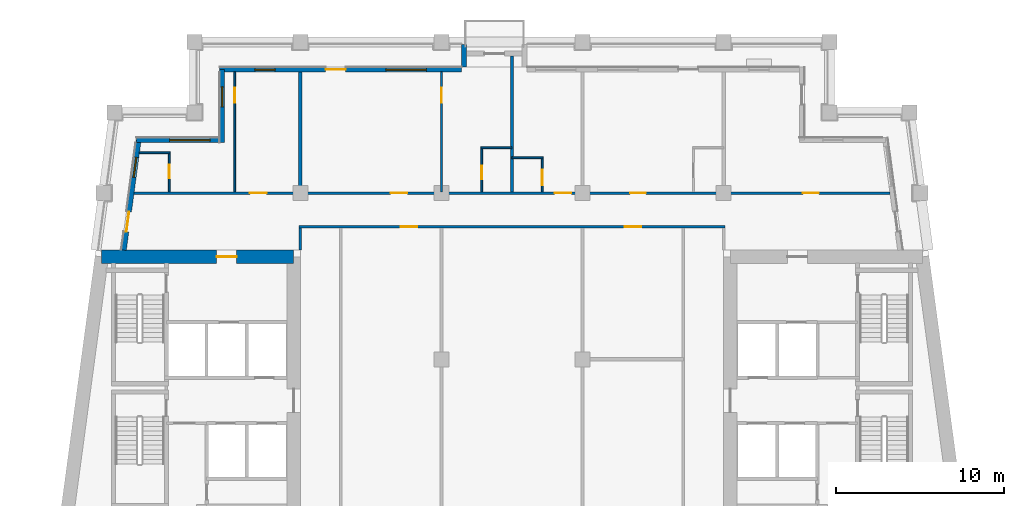
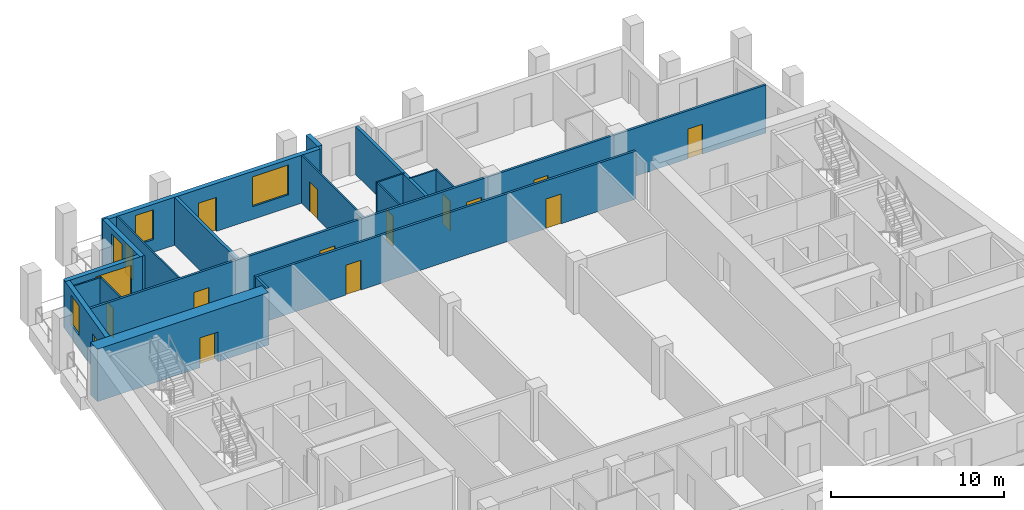
# One storey, part 6 of 12: 19 walls, 15 doors, 5 windows, 20 openings.
"""IFC4 building model written with IfcOpenShell, lengths in metres."""

from ifc_helpers import new_model, si_unit, direction, frame, frame_2d, origin, place, context, subcontext, project, spatial, rectangle, extrude, material, layer, layer_set, type_object, element, fill, save


model = new_model("IFC4")

# Units and contexts
model_context = context("Model", 3, precision=1e-05, world=origin(), true_north=direction((0.0, 1.0)))
body_context = subcontext(model_context, "Body", "Model", "MODEL_VIEW")
ifc_project = project(units=[si_unit("LENGTHUNIT", "METRE"), si_unit("AREAUNIT", "SQUARE_METRE"), si_unit("VOLUMEUNIT", "CUBIC_METRE"), si_unit("PLANEANGLEUNIT", "RADIAN"), si_unit("MASSUNIT", "GRAM", prefix="KILO")], contexts=[model_context])

# Site, building, storey
site_placement = place(None, origin())
site = spatial("IfcSite", under=ifc_project, at=site_placement, CompositionType="ELEMENT")
building_placement = place(site_placement, origin())
building = spatial("IfcBuilding", under=site, at=building_placement, Name="Candeia Pilgrim Tower and Theatre", CompositionType="ELEMENT")
storey_placement = place(building_placement, frame((0.0, 0.0, 224.39990234375)))
storey = spatial("IfcBuildingStorey", under=building, at=storey_placement, Name="L54", CompositionType="ELEMENT", Elevation=224.39990234375)

# Wall, opening, door
ifc_material_1 = material(Name="Concrete C50/60", Category="concrete")
ifc_layer_1 = layer(ifc_material_1, 0.800048828125)
ifc_layer_set_1 = layer_set([ifc_layer_1], Name="Core wall 800 C50/60")
wall_type_1 = type_object("IfcWallType", Name="Core wall 800 C50/60", PredefinedType="SHEAR", material=ifc_layer_set_1)
wall_1_placement = place(storey_placement, frame((88.98046875, 132.0, 0.0), z_axis=(0.0, 0.0, 1.0), x_axis=(1.0, 0.0, 0.0)))
wall_1 = element("IfcWall", 1, at=wall_1_placement, inside=storey, type_object=wall_type_1, Name="Core wall W1", PredefinedType="SHEAR", context=body_context, shape_type="SweptSolid", body=[
    extrude(rectangle(XDim=11.41943359375, YDim=0.800048828125, at=frame_2d((5.709716796875, 0.0))), origin(), (0.0, 0.0, 1.0), 3.7001953125),
])
opening_1_placement = place(wall_1_placement, frame((6.8330078125, 0.0, 0.0)))
opening_1 = element("IfcOpeningElement", 2, at=opening_1_placement, cuts=wall_1, Name="Opening L54-D055", PredefinedType="OPENING", context=body_context, shape_type="SweptSolid", body=[
    extrude(rectangle(XDim=1.199951171875, YDim=2.10009765625, at=frame_2d((0.60009765625, 1.050048828125))), frame((0.0, 0.41015625, 0.0), z_axis=(0.0, -1.0, 0.0), x_axis=(1.0, 0.0, 0.0)), (0.0, 0.0, 1.0), 0.820068359375),
])
ifc_material_2 = material(Name="Steel fire door set", Category="steel")
door_type_1 = type_object("IfcDoorType", Name="D-1200-FD60", OperationType="NOTDEFINED", PredefinedType="DOOR", material=ifc_material_2)
door_1_placement = place(opening_1_placement, origin())
door_1 = element("IfcDoor", 3, at=door_1_placement, inside=storey, type_object=door_type_1, Name="Door L54-D055", OperationType="SINGLE_SWING_LEFT", OverallHeight=2.10009765625, OverallWidth=1.199951171875, PredefinedType="DOOR", context=body_context, shape_type="SweptSolid", body=[
    extrude(rectangle(XDim=1.199951171875, YDim=2.10009765625, at=frame_2d((0.60009765625, 1.050048828125))), frame((0.0, 0.02490234375, 0.0), z_axis=(0.0, -1.0, 0.0), x_axis=(1.0, 0.0, 0.0)), (0.0, 0.0, 1.0), 0.050048828125),
])
fill(opening_1, door_1)

# Wall, openings, door, windows
ifc_material_3 = material(Name="Ceramic block masonry", Category="masonry")
ifc_layer_2 = layer(ifc_material_3, 0.300048828125)
ifc_layer_set_2 = layer_set([ifc_layer_2], Name="EW1 glazing-line wall 300")
wall_type_2 = type_object("IfcWallType", Name="EW1 glazing-line wall 300", PredefinedType="SOLIDWALL", material=ifc_layer_set_2)
wall_2_placement = place(storey_placement, frame((110.39990234375, 143.14990234375, 0.0), z_axis=(0.0, 0.0, 1.0), x_axis=(-1.0, 0.0, 0.0)))
wall_2 = element("IfcWall", 4, at=wall_2_placement, inside=storey, type_object=wall_type_2, Name="External wall L54-6.1", PredefinedType="SOLIDWALL", context=body_context, shape_type="SweptSolid", body=[
    extrude(rectangle(XDim=14.39990234375, YDim=0.300048828125, at=frame_2d((7.199951171875, 0.0))), origin(), (0.0, 0.0, 1.0), 3.380126953125),
])
opening_2_placement = place(wall_2_placement, frame((2.10009765625, 0.0, 0.89990234375)))
opening_2 = element("IfcOpeningElement", 5, at=opening_2_placement, cuts=wall_2, Name="Opening W-A", PredefinedType="OPENING", context=body_context, shape_type="SweptSolid", body=[
    extrude(rectangle(XDim=2.39990234375, YDim=2.10009765625, at=frame_2d((1.199951171875, 1.050048828125))), frame((0.0, 0.16015625, 0.0), z_axis=(0.0, -1.0, 0.0), x_axis=(1.0, 0.0, 0.0)), (0.0, 0.0, 1.0), 0.320068359375),
])
opening_3_placement = place(wall_2_placement, frame((6.89990234375, 0.0, 0.0)))
opening_3 = element("IfcOpeningElement", 6, at=opening_3_placement, cuts=wall_2, Name="Opening L54-ED520", PredefinedType="OPENING", context=body_context, shape_type="SweptSolid", body=[
    extrude(rectangle(XDim=1.199951171875, YDim=2.39990234375, at=frame_2d((0.60009765625, 1.199951171875))), frame((0.0, 0.16015625, 0.0), z_axis=(0.0, -1.0, 0.0), x_axis=(1.0, 0.0, 0.0)), (0.0, 0.0, 1.0), 0.320068359375),
])
opening_4_placement = place(wall_2_placement, frame((11.10009765625, 0.0, 0.89990234375)))
opening_4 = element("IfcOpeningElement", 7, at=opening_4_placement, cuts=wall_2, Name="Opening W-B", PredefinedType="OPENING", context=body_context, shape_type="SweptSolid", body=[
    extrude(rectangle(XDim=1.199951171875, YDim=2.10009765625, at=frame_2d((0.60009765625, 1.050048828125))), frame((0.0, 0.16015625, 0.0), z_axis=(0.0, -1.0, 0.0), x_axis=(1.0, 0.0, 0.0)), (0.0, 0.0, 1.0), 0.320068359375),
])
ifc_material_4 = material(Name="Aluminium framed glazed door", Category="aluminium")
door_type_2 = type_object("IfcDoorType", Name="Loggia door 1200x2400", OperationType="DOUBLE_DOOR_SINGLE_SWING", PredefinedType="DOOR", material=ifc_material_4)
door_2_placement = place(opening_3_placement, origin())
door_2 = element("IfcDoor", 8, at=door_2_placement, inside=storey, type_object=door_type_2, Name="Loggia door L54-ED520", OperationType="DOUBLE_DOOR_SINGLE_SWING", OverallHeight=2.39990234375, OverallWidth=1.199951171875, PredefinedType="DOOR", context=body_context, shape_type="SweptSolid", body=[
    extrude(rectangle(XDim=1.199951171875, YDim=2.39990234375, at=frame_2d((0.60009765625, 1.199951171875))), frame((0.0, 0.02490234375, 0.0), z_axis=(0.0, -1.0, 0.0), x_axis=(1.0, 0.0, 0.0)), (0.0, 0.0, 1.0), 0.050048828125),
])
fill(opening_3, door_2)
ifc_material_5 = material(Name="Aluminium framed double glazing", Category="aluminium")
window_type_1 = type_object("IfcWindowType", Name="W-A window 2400x2100", PartitioningType="DOUBLE_PANEL_VERTICAL", PredefinedType="WINDOW", material=ifc_material_5)
window_1_placement = place(opening_2_placement, origin())
window_1 = element("IfcWindow", 9, at=window_1_placement, inside=storey, type_object=window_type_1, Name="Window W-A L54", OverallHeight=2.10009765625, OverallWidth=2.39990234375, PartitioningType="SINGLE_PANEL", PredefinedType="WINDOW", context=body_context, shape_type="SweptSolid", body=[
    extrude(rectangle(XDim=2.39990234375, YDim=2.10009765625, at=frame_2d((1.199951171875, 1.050048828125))), frame((0.0, 0.030029296875, 0.0), z_axis=(0.0, -1.0, 0.0), x_axis=(1.0, 0.0, 0.0)), (0.0, 0.0, 1.0), 0.06005859375),
])
fill(opening_2, window_1)
window_type_2 = type_object("IfcWindowType", Name="W-B window 1200x2100", PartitioningType="SINGLE_PANEL", PredefinedType="WINDOW", material=ifc_material_5)
window_2_placement = place(opening_4_placement, origin())
window_2 = element("IfcWindow", 10, at=window_2_placement, inside=storey, type_object=window_type_2, Name="Window W-B L54", OverallHeight=2.10009765625, OverallWidth=1.199951171875, PartitioningType="SINGLE_PANEL", PredefinedType="WINDOW", context=body_context, shape_type="SweptSolid", body=[
    extrude(rectangle(XDim=1.199951171875, YDim=2.10009765625, at=frame_2d((0.60009765625, 1.050048828125))), frame((0.0, 0.030029296875, 0.0), z_axis=(0.0, -1.0, 0.0), x_axis=(1.0, 0.0, 0.0)), (0.0, 0.0, 1.0), 0.06005859375),
])
fill(opening_4, window_2)

# Wall, opening, window
wall_3_placement = place(storey_placement, frame((96.14990234375, 143.14990234375, 0.0), z_axis=(0.0, 0.0, 1.0), x_axis=(0.0, -1.0, 0.0)))
wall_3 = element("IfcWall", 11, at=wall_3_placement, inside=storey, type_object=wall_type_2, Name="External wall L54-7.0", PredefinedType="SOLIDWALL", context=body_context, shape_type="SweptSolid", body=[
    extrude(rectangle(XDim=4.349853515625, YDim=0.300048828125, at=frame_2d((2.1748046875, 0.0))), origin(), (0.0, 0.0, 1.0), 3.380126953125),
])
opening_5_placement = place(wall_3_placement, frame((1.02490234375, 0.0, 0.89990234375)))
opening_5 = element("IfcOpeningElement", 12, at=opening_5_placement, cuts=wall_3, Name="Opening W-B", PredefinedType="OPENING", context=body_context, shape_type="SweptSolid", body=[
    extrude(rectangle(XDim=1.199951171875, YDim=2.10009765625, at=frame_2d((0.60009765625, 1.050048828125))), frame((0.0, 0.16015625, 0.0), z_axis=(0.0, -1.0, 0.0), x_axis=(1.0, 0.0, 0.0)), (0.0, 0.0, 1.0), 0.320068359375),
])
window_3_placement = place(opening_5_placement, origin())
window_3 = element("IfcWindow", 13, at=window_3_placement, inside=storey, type_object=window_type_2, Name="Window W-B L54", OverallHeight=2.10009765625, OverallWidth=1.199951171875, PartitioningType="SINGLE_PANEL", PredefinedType="WINDOW", context=body_context, shape_type="SweptSolid", body=[
    extrude(rectangle(XDim=1.199951171875, YDim=2.10009765625, at=frame_2d((0.60009765625, 1.050048828125))), frame((0.0, 0.030029296875, 0.0), z_axis=(0.0, -1.0, 0.0), x_axis=(1.0, 0.0, 0.0)), (0.0, 0.0, 1.0), 0.06005859375),
])
fill(opening_5, window_3)

wall_4_placement = place(storey_placement, frame((96.14990234375, 138.949951171875, 0.0), z_axis=(0.0, 0.0, 1.0), x_axis=(-1.0, 0.0, 0.0)))
wall_4 = element("IfcWall", 14, at=wall_4_placement, inside=storey, type_object=wall_type_2, Name="External wall L54-8.0", PredefinedType="SOLIDWALL", context=body_context, shape_type="SweptSolid", body=[
    extrude(rectangle(XDim=5.103759765625, YDim=0.300048828125, at=frame_2d((2.5517578125, 0.0))), origin(), (0.0, 0.0, 1.0), 3.380126953125),
])
opening_6_placement = place(wall_4_placement, frame((0.72509765625, 0.0, 0.89990234375)))
opening_6 = element("IfcOpeningElement", 15, at=opening_6_placement, cuts=wall_4, Name="Opening W-A", PredefinedType="OPENING", context=body_context, shape_type="SweptSolid", body=[
    extrude(rectangle(XDim=2.39990234375, YDim=2.10009765625, at=frame_2d((1.199951171875, 1.050048828125))), frame((0.0, 0.16015625, 0.0), z_axis=(0.0, -1.0, 0.0), x_axis=(1.0, 0.0, 0.0)), (0.0, 0.0, 1.0), 0.320068359375),
])
window_4_placement = place(opening_6_placement, origin())
window_4 = element("IfcWindow", 16, at=window_4_placement, inside=storey, type_object=window_type_1, Name="Window W-A L54", OverallHeight=2.10009765625, OverallWidth=2.39990234375, PartitioningType="SINGLE_PANEL", PredefinedType="WINDOW", context=body_context, shape_type="SweptSolid", body=[
    extrude(rectangle(XDim=2.39990234375, YDim=2.10009765625, at=frame_2d((1.199951171875, 1.050048828125))), frame((0.0, 0.030029296875, 0.0), z_axis=(0.0, -1.0, 0.0), x_axis=(1.0, 0.0, 0.0)), (0.0, 0.0, 1.0), 0.06005859375),
])
fill(opening_6, window_4)

# Wall, openings, door, window
wall_5_placement = place(storey_placement, frame((91.177490234375, 138.949951171875, 0.0), z_axis=(0.0, 0.0, 1.0), x_axis=(-0.133426664613, -0.991058689065, 0.0)))
wall_5 = element("IfcWall", 17, at=wall_5_placement, inside=storey, type_object=wall_type_2, Name="External wall L54-9.0", PredefinedType="SOLIDWALL", context=body_context, shape_type="SweptSolid", body=[
    extrude(rectangle(XDim=6.609130859375, YDim=0.300048828125, at=frame_2d((3.3046875, 0.0))), origin(), (0.0, 0.0, 1.0), 3.380126953125),
])
opening_7_placement = place(wall_5_placement, frame((1.039306640625, 0.0, 0.89990234375)))
opening_7 = element("IfcOpeningElement", 18, at=opening_7_placement, cuts=wall_5, Name="Opening W-B", PredefinedType="OPENING", context=body_context, shape_type="SweptSolid", body=[
    extrude(rectangle(XDim=1.199951171875, YDim=2.10009765625, at=frame_2d((0.60009765625, 1.050048828125))), frame((0.0, 0.16015625, 0.0), z_axis=(0.0, -1.0, 0.0), x_axis=(1.0, 0.0, 0.0)), (0.0, 0.0, 1.0), 0.320068359375),
])
opening_8_placement = place(wall_5_placement, frame((4.293701171875, 0.0, 0.0)))
opening_8 = element("IfcOpeningElement", 19, at=opening_8_placement, cuts=wall_5, Name="Opening L54-ED522", PredefinedType="OPENING", context=body_context, shape_type="SweptSolid", body=[
    extrude(rectangle(XDim=1.199951171875, YDim=2.39990234375, at=frame_2d((0.60009765625, 1.199951171875))), frame((0.0, 0.16015625, 0.0), z_axis=(0.0, -1.0, 0.0), x_axis=(1.0, 0.0, 0.0)), (0.0, 0.0, 1.0), 0.320068359375),
])
door_3_placement = place(opening_8_placement, origin())
door_3 = element("IfcDoor", 20, at=door_3_placement, inside=storey, type_object=door_type_2, Name="Loggia door L54-ED522", OperationType="DOUBLE_DOOR_SINGLE_SWING", OverallHeight=2.39990234375, OverallWidth=1.199951171875, PredefinedType="DOOR", context=body_context, shape_type="SweptSolid", body=[
    extrude(rectangle(XDim=1.199951171875, YDim=2.39990234375, at=frame_2d((0.60009765625, 1.199951171875))), frame((0.0, 0.02490234375, 0.0), z_axis=(0.0, -1.0, 0.0), x_axis=(1.0, 0.0, 0.0)), (0.0, 0.0, 1.0), 0.050048828125),
])
fill(opening_8, door_3)
window_5_placement = place(opening_7_placement, origin())
window_5 = element("IfcWindow", 21, at=window_5_placement, inside=storey, type_object=window_type_2, Name="Window W-B L54", OverallHeight=2.10009765625, OverallWidth=1.199951171875, PartitioningType="SINGLE_PANEL", PredefinedType="WINDOW", context=body_context, shape_type="SweptSolid", body=[
    extrude(rectangle(XDim=1.199951171875, YDim=2.10009765625, at=frame_2d((0.60009765625, 1.050048828125))), frame((0.0, 0.030029296875, 0.0), z_axis=(0.0, -1.0, 0.0), x_axis=(1.0, 0.0, 0.0)), (0.0, 0.0, 1.0), 0.06005859375),
])
fill(opening_7, window_5)

# Walls
ifc_layer_3 = layer(ifc_material_3, 0.300048828125)
ifc_layer_set_3 = layer_set([ifc_layer_3], Name="EW2 entrance infill wall 300")
wall_type_3 = type_object("IfcWallType", Name="EW2 entrance infill wall 300", PredefinedType="SOLIDWALL", material=ifc_layer_set_3)
wall_6_placement = place(storey_placement, frame((110.550048828125, 143.300048828125, 0.0), z_axis=(0.0, 0.0, 1.0), x_axis=(0.0, 1.0, 0.0)))
element("IfcWall", 22, at=wall_6_placement, inside=storey, type_object=wall_type_3, Name="Alcove wall L54", PredefinedType="SOLIDWALL", context=body_context, shape_type="SweptSolid", body=[
    extrude(rectangle(XDim=1.349853515625, YDim=0.300048828125, at=frame_2d((0.6748046875, 0.0))), origin(), (0.0, 0.0, 1.0), 3.380126953125),
])
ifc_material_6 = material(Name="Gypsum board partition on steel studs", Category="steel")
ifc_layer_4 = layer(ifc_material_6, 0.10009765625)
ifc_layer_set_4 = layer_set([ifc_layer_4], Name="PW-100 room partition")
wall_type_4 = type_object("IfcWallType", Name="PW-100 room partition", PredefinedType="PARTITIONING", material=ifc_layer_set_4)
wall_7_placement = place(storey_placement, frame((113.39990234375, 137.89990234375, 0.0), z_axis=(0.0, 0.0, 1.0), x_axis=(1.0, 0.0, 0.0)))
element("IfcWall", 23, at=wall_7_placement, inside=storey, type_object=wall_type_4, Name="Room partition L54-045", PredefinedType="PARTITIONING", context=body_context, shape_type="SweptSolid", body=[
    extrude(rectangle(XDim=1.85009765625, YDim=0.10009765625, at=frame_2d((0.925048828125, 0.0))), origin(), (0.0, 0.0, 1.0), 3.380126953125),
])
wall_8_placement = place(storey_placement, frame((91.2177734375, 138.199951171875, 0.0), z_axis=(0.0, 0.0, 1.0), x_axis=(1.0, 0.0, 0.0)))
element("IfcWall", 24, at=wall_8_placement, inside=storey, type_object=wall_type_4, Name="Room partition L54-046", PredefinedType="PARTITIONING", context=body_context, shape_type="SweptSolid", body=[
    extrude(rectangle(XDim=1.832275390625, YDim=0.10009765625, at=frame_2d((0.916015625, 0.0))), origin(), (0.0, 0.0, 1.0), 3.380126953125),
])
wall_9_placement = place(storey_placement, frame((111.550048828125, 138.5, 0.0), z_axis=(0.0, 0.0, 1.0), x_axis=(1.0, 0.0, 0.0)))
element("IfcWall", 25, at=wall_9_placement, inside=storey, type_object=wall_type_4, Name="Room partition L54-047", PredefinedType="PARTITIONING", context=body_context, shape_type="SweptSolid", body=[
    extrude(rectangle(XDim=1.849853515625, YDim=0.10009765625, at=frame_2d((0.9248046875, 0.0))), origin(), (0.0, 0.0, 1.0), 3.380126953125),
])

# Wall, opening, door
wall_10_placement = place(storey_placement, frame((93.0, 135.875, 0.0), z_axis=(0.0, 0.0, 1.0), x_axis=(0.0, 1.0, 0.0)))
wall_10 = element("IfcWall", 26, at=wall_10_placement, inside=storey, type_object=wall_type_4, Name="Room partition L54-061", PredefinedType="PARTITIONING", context=body_context, shape_type="SweptSolid", body=[
    extrude(rectangle(XDim=2.27490234375, YDim=0.10009765625, at=frame_2d((1.137451171875, 0.0))), origin(), (0.0, 0.0, 1.0), 3.380126953125),
])
opening_9_placement = place(wall_10_placement, frame((0.81494140625, 0.0, 0.0)))
opening_9 = element("IfcOpeningElement", 27, at=opening_9_placement, cuts=wall_10, Name="Opening L54-D039", PredefinedType="OPENING", context=body_context, shape_type="SweptSolid", body=[
    extrude(rectangle(XDim=0.800048828125, YDim=2.10009765625, at=frame_2d((0.39990234375, 1.050048828125))), frame((0.0, 0.06005859375, 0.0), z_axis=(0.0, -1.0, 0.0), x_axis=(1.0, 0.0, 0.0)), (0.0, 0.0, 1.0), 0.1201171875),
])
ifc_material_7 = material(Name="Timber door leaf", Category="wood")
door_type_3 = type_object("IfcDoorType", Name="D-800", OperationType="NOTDEFINED", PredefinedType="DOOR", material=ifc_material_7)
door_4_placement = place(opening_9_placement, origin())
door_4 = element("IfcDoor", 28, at=door_4_placement, inside=storey, type_object=door_type_3, Name="Door L54-D039", OperationType="SINGLE_SWING_LEFT", OverallHeight=2.10009765625, OverallWidth=0.800048828125, PredefinedType="DOOR", context=body_context, shape_type="SweptSolid", body=[
    extrude(rectangle(XDim=0.800048828125, YDim=2.10009765625, at=frame_2d((0.39990234375, 1.050048828125))), frame((0.0, 0.02490234375, 0.0), z_axis=(0.0, -1.0, 0.0), x_axis=(1.0, 0.0, 0.0)), (0.0, 0.0, 1.0), 0.050048828125),
])
fill(opening_9, door_4)

wall_11_placement = place(storey_placement, frame((96.89990234375, 135.875, 0.0), z_axis=(0.0, 0.0, 1.0), x_axis=(0.0, 1.0, 0.0)))
wall_11 = element("IfcWall", 29, at=wall_11_placement, inside=storey, type_object=wall_type_4, Name="Room partition L54-066", PredefinedType="PARTITIONING", context=body_context, shape_type="SweptSolid", body=[
    extrude(rectangle(XDim=7.135009765625, YDim=0.10009765625, at=frame_2d((3.5673828125, 0.0))), origin(), (0.0, 0.0, 1.0), 3.380126953125),
])
opening_10_placement = place(wall_11_placement, frame((5.2900390625, 0.0, 0.0)))
opening_10 = element("IfcOpeningElement", 30, at=opening_10_placement, cuts=wall_11, Name="Opening L54-D038", PredefinedType="OPENING", context=body_context, shape_type="SweptSolid", body=[
    extrude(rectangle(XDim=0.89990234375, YDim=2.10009765625, at=frame_2d((0.449951171875, 1.050048828125))), frame((0.0, 0.06005859375, 0.0), z_axis=(0.0, -1.0, 0.0), x_axis=(1.0, 0.0, 0.0)), (0.0, 0.0, 1.0), 0.1201171875),
])
door_type_4 = type_object("IfcDoorType", Name="D-900", OperationType="NOTDEFINED", PredefinedType="DOOR", material=ifc_material_7)
door_5_placement = place(opening_10_placement, origin())
door_5 = element("IfcDoor", 31, at=door_5_placement, inside=storey, type_object=door_type_4, Name="Door L54-D038", OperationType="SINGLE_SWING_RIGHT", OverallHeight=2.10009765625, OverallWidth=0.89990234375, PredefinedType="DOOR", context=body_context, shape_type="SweptSolid", body=[
    extrude(rectangle(XDim=0.89990234375, YDim=2.10009765625, at=frame_2d((0.449951171875, 1.050048828125))), frame((0.0, 0.02490234375, 0.0), z_axis=(0.0, -1.0, 0.0), x_axis=(1.0, 0.0, 0.0)), (0.0, 0.0, 1.0), 0.050048828125),
])
fill(opening_10, door_5)

wall_12_placement = place(storey_placement, frame((109.199951171875, 135.875, 0.0), z_axis=(0.0, 0.0, 1.0), x_axis=(0.0, 1.0, 0.0)))
wall_12 = element("IfcWall", 32, at=wall_12_placement, inside=storey, type_object=wall_type_4, Name="Room partition L54-079", PredefinedType="PARTITIONING", context=body_context, shape_type="SweptSolid", body=[
    extrude(rectangle(XDim=7.135009765625, YDim=0.10009765625, at=frame_2d((3.5673828125, 0.0))), origin(), (0.0, 0.0, 1.0), 3.380126953125),
])
opening_11_placement = place(wall_12_placement, frame((5.2900390625, 0.0, 0.0)))
opening_11 = element("IfcOpeningElement", 33, at=opening_11_placement, cuts=wall_12, Name="Opening L54-D041", PredefinedType="OPENING", context=body_context, shape_type="SweptSolid", body=[
    extrude(rectangle(XDim=0.89990234375, YDim=2.10009765625, at=frame_2d((0.449951171875, 1.050048828125))), frame((0.0, 0.06005859375, 0.0), z_axis=(0.0, -1.0, 0.0), x_axis=(1.0, 0.0, 0.0)), (0.0, 0.0, 1.0), 0.1201171875),
])
door_6_placement = place(opening_11_placement, origin())
door_6 = element("IfcDoor", 34, at=door_6_placement, inside=storey, type_object=door_type_4, Name="Door L54-D041", OperationType="SINGLE_SWING_LEFT", OverallHeight=2.10009765625, OverallWidth=0.89990234375, PredefinedType="DOOR", context=body_context, shape_type="SweptSolid", body=[
    extrude(rectangle(XDim=0.89990234375, YDim=2.10009765625, at=frame_2d((0.449951171875, 1.050048828125))), frame((0.0, 0.02490234375, 0.0), z_axis=(0.0, -1.0, 0.0), x_axis=(1.0, 0.0, 0.0)), (0.0, 0.0, 1.0), 0.050048828125),
])
fill(opening_11, door_6)

wall_13_placement = place(storey_placement, frame((111.60009765625, 135.875, 0.0), z_axis=(0.0, 0.0, 1.0), x_axis=(0.0, 1.0, 0.0)))
wall_13 = element("IfcWall", 35, at=wall_13_placement, inside=storey, type_object=wall_type_4, Name="Room partition L54-082", PredefinedType="PARTITIONING", context=body_context, shape_type="SweptSolid", body=[
    extrude(rectangle(XDim=2.574951171875, YDim=0.10009765625, at=frame_2d((1.28759765625, 0.0))), origin(), (0.0, 0.0, 1.0), 3.380126953125),
])
opening_12_placement = place(wall_13_placement, frame((0.7548828125, 0.0, 0.0)))
opening_12 = element("IfcOpeningElement", 36, at=opening_12_placement, cuts=wall_13, Name="Opening L54-D042", PredefinedType="OPENING", context=body_context, shape_type="SweptSolid", body=[
    extrude(rectangle(XDim=0.800048828125, YDim=2.10009765625, at=frame_2d((0.39990234375, 1.050048828125))), frame((0.0, 0.06005859375, 0.0), z_axis=(0.0, -1.0, 0.0), x_axis=(1.0, 0.0, 0.0)), (0.0, 0.0, 1.0), 0.1201171875),
])
door_7_placement = place(opening_12_placement, origin())
door_7 = element("IfcDoor", 37, at=door_7_placement, inside=storey, type_object=door_type_3, Name="Door L54-D042", OperationType="SINGLE_SWING_RIGHT", OverallHeight=2.10009765625, OverallWidth=0.800048828125, PredefinedType="DOOR", context=body_context, shape_type="SweptSolid", body=[
    extrude(rectangle(XDim=0.800048828125, YDim=2.10009765625, at=frame_2d((0.39990234375, 1.050048828125))), frame((0.0, 0.02490234375, 0.0), z_axis=(0.0, -1.0, 0.0), x_axis=(1.0, 0.0, 0.0)), (0.0, 0.0, 1.0), 0.050048828125),
])
fill(opening_12, door_7)

wall_14_placement = place(storey_placement, frame((115.199951171875, 135.875, 0.0), z_axis=(0.0, 0.0, 1.0), x_axis=(0.0, 1.0, 0.0)))
wall_14 = element("IfcWall", 38, at=wall_14_placement, inside=storey, type_object=wall_type_4, Name="Room partition L54-086", PredefinedType="PARTITIONING", context=body_context, shape_type="SweptSolid", body=[
    extrude(rectangle(XDim=1.97509765625, YDim=0.10009765625, at=frame_2d((0.987548828125, 0.0))), origin(), (0.0, 0.0, 1.0), 3.380126953125),
])
opening_13_placement = place(wall_14_placement, frame((0.39990234375, 0.0, 0.0)))
opening_13 = element("IfcOpeningElement", 39, at=opening_13_placement, cuts=wall_14, Name="Opening L54-D044", PredefinedType="OPENING", context=body_context, shape_type="SweptSolid", body=[
    extrude(rectangle(XDim=0.89990234375, YDim=2.10009765625, at=frame_2d((0.449951171875, 1.050048828125))), frame((0.0, 0.06005859375, 0.0), z_axis=(0.0, -1.0, 0.0), x_axis=(1.0, 0.0, 0.0)), (0.0, 0.0, 1.0), 0.1201171875),
])
door_8_placement = place(opening_13_placement, origin())
door_8 = element("IfcDoor", 40, at=door_8_placement, inside=storey, type_object=door_type_4, Name="Door L54-D044", OperationType="SINGLE_SWING_RIGHT", OverallHeight=2.10009765625, OverallWidth=0.89990234375, PredefinedType="DOOR", context=body_context, shape_type="SweptSolid", body=[
    extrude(rectangle(XDim=0.89990234375, YDim=2.10009765625, at=frame_2d((0.449951171875, 1.050048828125))), frame((0.0, 0.02490234375, 0.0), z_axis=(0.0, -1.0, 0.0), x_axis=(1.0, 0.0, 0.0)), (0.0, 0.0, 1.0), 0.050048828125),
])
fill(opening_13, door_8)

# Wall, openings, doors
ifc_layer_5 = layer(ifc_material_6, 0.14990234375)
ifc_layer_set_5 = layer_set([ifc_layer_5], Name="PW-150 unit wall")
wall_type_5 = type_object("IfcWallType", Name="PW-150 unit wall", PredefinedType="PARTITIONING", material=ifc_layer_set_5)
wall_15_placement = place(storey_placement, frame((100.72509765625, 133.800048828125, 0.0), z_axis=(0.0, 0.0, 1.0), x_axis=(1.0, 0.0, 0.0)))
wall_15 = element("IfcWall", 41, at=wall_15_placement, inside=storey, type_object=wall_type_5, Name="Unit wall L54-043", PredefinedType="PARTITIONING", context=body_context, shape_type="SweptSolid", body=[
    extrude(rectangle(XDim=25.349853515625, YDim=0.14990234375, at=frame_2d((12.6748046875, 0.0))), origin(), (0.0, 0.0, 1.0), 3.380126953125),
])
opening_14_placement = place(wall_15_placement, frame((6.050048828125, 0.0, 0.0)))
opening_14 = element("IfcOpeningElement", 42, at=opening_14_placement, cuts=wall_15, Name="Opening L54-D050", PredefinedType="OPENING", context=body_context, shape_type="SweptSolid", body=[
    extrude(rectangle(XDim=1.0, YDim=2.10009765625, at=frame_2d((0.5, 1.050048828125))), frame((0.0, 0.0849609375, 0.0), z_axis=(0.0, -1.0, 0.0), x_axis=(1.0, 0.0, 0.0)), (0.0, 0.0, 1.0), 0.169921875),
])
opening_15_placement = place(wall_15_placement, frame((19.375, 0.0, 0.0)))
opening_15 = element("IfcOpeningElement", 43, at=opening_15_placement, cuts=wall_15, Name="Opening L54-D053", PredefinedType="OPENING", context=body_context, shape_type="SweptSolid", body=[
    extrude(rectangle(XDim=1.0, YDim=2.10009765625, at=frame_2d((0.5, 1.050048828125))), frame((0.0, 0.0849609375, 0.0), z_axis=(0.0, -1.0, 0.0), x_axis=(1.0, 0.0, 0.0)), (0.0, 0.0, 1.0), 0.169921875),
])
door_type_5 = type_object("IfcDoorType", Name="D-1000-FD30S", OperationType="NOTDEFINED", PredefinedType="DOOR", material=ifc_material_2)
door_9_placement = place(opening_14_placement, origin())
door_9 = element("IfcDoor", 44, at=door_9_placement, inside=storey, type_object=door_type_5, Name="Door L54-D050", OperationType="SINGLE_SWING_RIGHT", OverallHeight=2.10009765625, OverallWidth=1.0, PredefinedType="DOOR", context=body_context, shape_type="SweptSolid", body=[
    extrude(rectangle(XDim=1.0, YDim=2.10009765625, at=frame_2d((0.5, 1.050048828125))), frame((0.0, 0.02490234375, 0.0), z_axis=(0.0, -1.0, 0.0), x_axis=(1.0, 0.0, 0.0)), (0.0, 0.0, 1.0), 0.050048828125),
])
fill(opening_14, door_9)
door_10_placement = place(opening_15_placement, origin())
door_10 = element("IfcDoor", 45, at=door_10_placement, inside=storey, type_object=door_type_5, Name="Door L54-D053", OperationType="SINGLE_SWING_LEFT", OverallHeight=2.10009765625, OverallWidth=1.0, PredefinedType="DOOR", context=body_context, shape_type="SweptSolid", body=[
    extrude(rectangle(XDim=1.0, YDim=2.10009765625, at=frame_2d((0.5, 1.050048828125))), frame((0.0, 0.02490234375, 0.0), z_axis=(0.0, -1.0, 0.0), x_axis=(1.0, 0.0, 0.0)), (0.0, 0.0, 1.0), 0.050048828125),
])
fill(opening_15, door_10)

wall_16_placement = place(storey_placement, frame((90.89453125, 135.800048828125, 0.0), z_axis=(0.0, 0.0, 1.0), x_axis=(1.0, 0.0, 0.0)))
wall_16 = element("IfcWall", 46, at=wall_16_placement, inside=storey, type_object=wall_type_5, Name="Unit wall L54-044", PredefinedType="PARTITIONING", context=body_context, shape_type="SweptSolid", body=[
    extrude(rectangle(XDim=45.010986328125, YDim=0.14990234375, at=frame_2d((22.50537109375, 0.0))), origin(), (0.0, 0.0, 1.0), 3.380126953125),
])
opening_16_placement = place(wall_16_placement, frame((6.905517578125, 0.0, 0.0)))
opening_16 = element("IfcOpeningElement", 47, at=opening_16_placement, cuts=wall_16, Name="Opening L54-D037", PredefinedType="OPENING", context=body_context, shape_type="SweptSolid", body=[
    extrude(rectangle(XDim=1.0, YDim=2.10009765625, at=frame_2d((0.5, 1.050048828125))), frame((0.0, 0.0849609375, 0.0), z_axis=(0.0, -1.0, 0.0), x_axis=(1.0, 0.0, 0.0)), (0.0, 0.0, 1.0), 0.169921875),
])
opening_17_placement = place(wall_16_placement, frame((15.280517578125, 0.0, 0.0)))
opening_17 = element("IfcOpeningElement", 48, at=opening_17_placement, cuts=wall_16, Name="Opening L54-D040", PredefinedType="OPENING", context=body_context, shape_type="SweptSolid", body=[
    extrude(rectangle(XDim=1.0, YDim=2.10009765625, at=frame_2d((0.5, 1.050048828125))), frame((0.0, 0.0849609375, 0.0), z_axis=(0.0, -1.0, 0.0), x_axis=(1.0, 0.0, 0.0)), (0.0, 0.0, 1.0), 0.169921875),
])
opening_18_placement = place(wall_16_placement, frame((25.04541015625, 0.0, 0.0)))
opening_18 = element("IfcOpeningElement", 49, at=opening_18_placement, cuts=wall_16, Name="Opening L54-D043", PredefinedType="OPENING", context=body_context, shape_type="SweptSolid", body=[
    extrude(rectangle(XDim=1.0, YDim=2.10009765625, at=frame_2d((0.5, 1.050048828125))), frame((0.0, 0.0849609375, 0.0), z_axis=(0.0, -1.0, 0.0), x_axis=(1.0, 0.0, 0.0)), (0.0, 0.0, 1.0), 0.169921875),
])
opening_19_placement = place(wall_16_placement, frame((29.530517578125, 0.0, 0.0)))
opening_19 = element("IfcOpeningElement", 50, at=opening_19_placement, cuts=wall_16, Name="Opening L54-D045", PredefinedType="OPENING", context=body_context, shape_type="SweptSolid", body=[
    extrude(rectangle(XDim=0.949951171875, YDim=2.10009765625, at=frame_2d((0.47509765625, 1.050048828125))), frame((0.0, 0.0849609375, 0.0), z_axis=(0.0, -1.0, 0.0), x_axis=(1.0, 0.0, 0.0)), (0.0, 0.0, 1.0), 0.169921875),
])
opening_20_placement = place(wall_16_placement, frame((39.814453125, 0.0, 0.0)))
opening_20 = element("IfcOpeningElement", 51, at=opening_20_placement, cuts=wall_16, Name="Opening L54-D047", PredefinedType="OPENING", context=body_context, shape_type="SweptSolid", body=[
    extrude(rectangle(XDim=0.949951171875, YDim=2.10009765625, at=frame_2d((0.47509765625, 1.050048828125))), frame((0.0, 0.0849609375, 0.0), z_axis=(0.0, -1.0, 0.0), x_axis=(1.0, 0.0, 0.0)), (0.0, 0.0, 1.0), 0.169921875),
])
door_11_placement = place(opening_16_placement, origin())
door_11 = element("IfcDoor", 52, at=door_11_placement, inside=storey, type_object=door_type_5, Name="Door L54-D037", OperationType="SINGLE_SWING_LEFT", OverallHeight=2.10009765625, OverallWidth=1.0, PredefinedType="DOOR", context=body_context, shape_type="SweptSolid", body=[
    extrude(rectangle(XDim=1.0, YDim=2.10009765625, at=frame_2d((0.5, 1.050048828125))), frame((0.0, 0.02490234375, 0.0), z_axis=(0.0, -1.0, 0.0), x_axis=(1.0, 0.0, 0.0)), (0.0, 0.0, 1.0), 0.050048828125),
])
fill(opening_16, door_11)
door_12_placement = place(opening_17_placement, origin())
door_12 = element("IfcDoor", 53, at=door_12_placement, inside=storey, type_object=door_type_5, Name="Door L54-D040", OperationType="SINGLE_SWING_RIGHT", OverallHeight=2.10009765625, OverallWidth=1.0, PredefinedType="DOOR", context=body_context, shape_type="SweptSolid", body=[
    extrude(rectangle(XDim=1.0, YDim=2.10009765625, at=frame_2d((0.5, 1.050048828125))), frame((0.0, 0.02490234375, 0.0), z_axis=(0.0, -1.0, 0.0), x_axis=(1.0, 0.0, 0.0)), (0.0, 0.0, 1.0), 0.050048828125),
])
fill(opening_17, door_12)
door_13_placement = place(opening_18_placement, origin())
door_13 = element("IfcDoor", 54, at=door_13_placement, inside=storey, type_object=door_type_5, Name="Door L54-D043", OperationType="SINGLE_SWING_LEFT", OverallHeight=2.10009765625, OverallWidth=1.0, PredefinedType="DOOR", context=body_context, shape_type="SweptSolid", body=[
    extrude(rectangle(XDim=1.0, YDim=2.10009765625, at=frame_2d((0.5, 1.050048828125))), frame((0.0, 0.02490234375, 0.0), z_axis=(0.0, -1.0, 0.0), x_axis=(1.0, 0.0, 0.0)), (0.0, 0.0, 1.0), 0.050048828125),
])
fill(opening_18, door_13)
door_type_6 = type_object("IfcDoorType", Name="D-950-FD30S", OperationType="NOTDEFINED", PredefinedType="DOOR", material=ifc_material_2)
door_14_placement = place(opening_19_placement, origin())
door_14 = element("IfcDoor", 55, at=door_14_placement, inside=storey, type_object=door_type_6, Name="Door L54-D045", OperationType="SINGLE_SWING_LEFT", OverallHeight=2.10009765625, OverallWidth=0.949951171875, PredefinedType="DOOR", context=body_context, shape_type="SweptSolid", body=[
    extrude(rectangle(XDim=0.949951171875, YDim=2.10009765625, at=frame_2d((0.47509765625, 1.050048828125))), frame((0.0, 0.02490234375, 0.0), z_axis=(0.0, -1.0, 0.0), x_axis=(1.0, 0.0, 0.0)), (0.0, 0.0, 1.0), 0.050048828125),
])
fill(opening_19, door_14)
door_15_placement = place(opening_20_placement, origin())
door_15 = element("IfcDoor", 56, at=door_15_placement, inside=storey, type_object=door_type_6, Name="Door L54-D047", OperationType="SINGLE_SWING_LEFT", OverallHeight=2.10009765625, OverallWidth=0.949951171875, PredefinedType="DOOR", context=body_context, shape_type="SweptSolid", body=[
    extrude(rectangle(XDim=0.949951171875, YDim=2.10009765625, at=frame_2d((0.47509765625, 1.050048828125))), frame((0.0, 0.02490234375, 0.0), z_axis=(0.0, -1.0, 0.0), x_axis=(1.0, 0.0, 0.0)), (0.0, 0.0, 1.0), 0.050048828125),
])
fill(opening_20, door_15)

# Walls
wall_17_placement = place(storey_placement, frame((100.800048828125, 132.39990234375, 0.0), z_axis=(0.0, 0.0, 1.0), x_axis=(0.0, 1.0, 0.0)))
element("IfcWall", 57, at=wall_17_placement, inside=storey, type_object=wall_type_5, Name="Unit wall L54-074", PredefinedType="PARTITIONING", context=body_context, shape_type="SweptSolid", body=[
    extrude(rectangle(XDim=1.3251953125, YDim=0.14990234375, at=frame_2d((0.66259765625, 0.0))), origin(), (0.0, 0.0, 1.0), 3.380126953125),
])
ifc_layer_6 = layer(ifc_material_6, 0.199951171875)
ifc_layer_set_6 = layer_set([ifc_layer_6], Name="PW-200 party wall")
wall_type_6 = type_object("IfcWallType", Name="PW-200 party wall", PredefinedType="PARTITIONING", material=ifc_layer_set_6)
wall_18_placement = place(storey_placement, frame((100.800048828125, 135.875, 0.0), z_axis=(0.0, 0.0, 1.0), x_axis=(0.0, 1.0, 0.0)))
element("IfcWall", 58, at=wall_18_placement, inside=storey, type_object=wall_type_6, Name="Party wall L54-072", PredefinedType="PARTITIONING", context=body_context, shape_type="SweptSolid", body=[
    extrude(rectangle(XDim=7.135009765625, YDim=0.199951171875, at=frame_2d((3.5673828125, 0.0))), origin(), (0.0, 0.0, 1.0), 3.380126953125),
])
wall_19_placement = place(storey_placement, frame((113.39990234375, 135.875, 0.0), z_axis=(0.0, 0.0, 1.0), x_axis=(0.0, 1.0, 0.0)))
element("IfcWall", 59, at=wall_19_placement, inside=storey, type_object=wall_type_6, Name="Party wall L54-085", PredefinedType="PARTITIONING", context=body_context, shape_type="SweptSolid", body=[
    extrude(rectangle(XDim=8.0849609375, YDim=0.199951171875, at=frame_2d((4.04248046875, 0.0))), origin(), (0.0, 0.0, 1.0), 3.380126953125),
])

save(model, "model.ifc")
